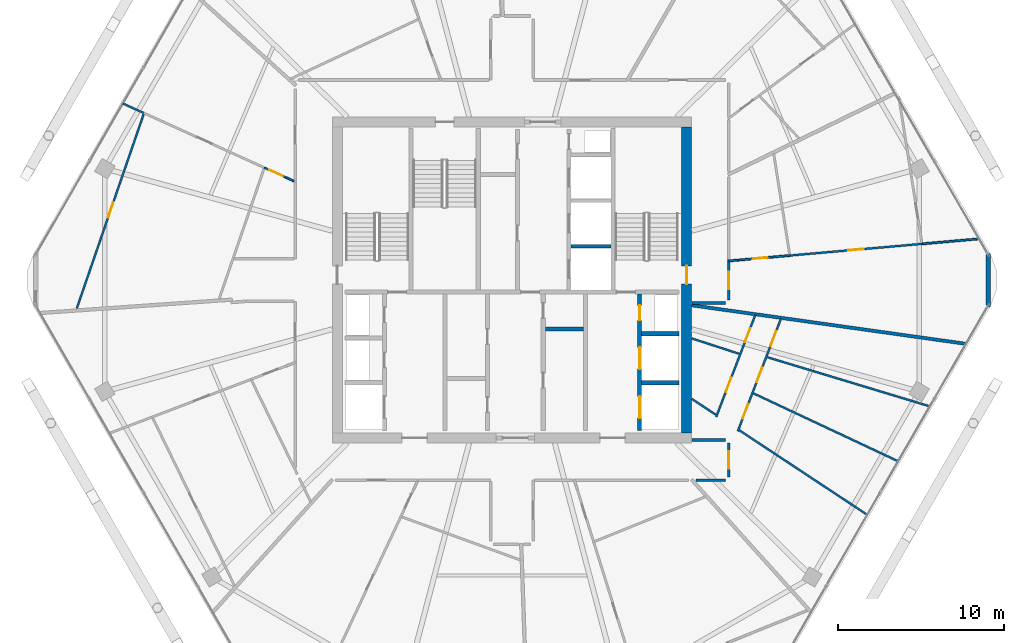
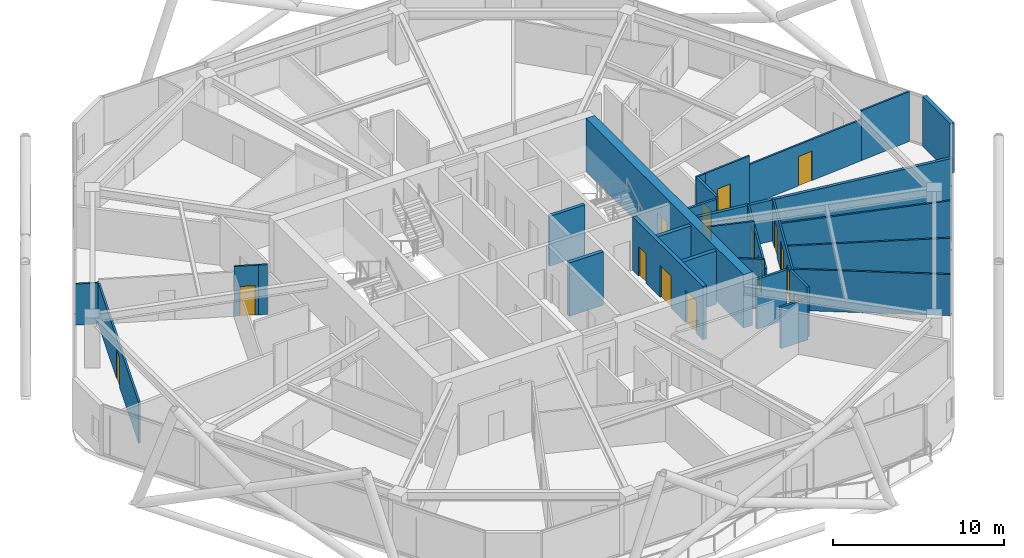
# One storey, part 22 of 26: 28 walls, 15 doors, 15 openings.
"""IFC4 building model written with IfcOpenShell, lengths in metres."""

from ifc_helpers import new_model, si_unit, direction, frame, frame_2d, origin, place, context, subcontext, project, spatial, rectangle, extrude, material, layer, layer_set, type_object, element, fill, save


model = new_model("IFC4")

# Units and contexts
model_context = context("Model", 3, precision=1e-05, world=origin(), true_north=direction((0.0, 1.0)))
body_context = subcontext(model_context, "Body", "Model", "MODEL_VIEW")
ifc_project = project(units=[si_unit("LENGTHUNIT", "METRE"), si_unit("AREAUNIT", "SQUARE_METRE"), si_unit("VOLUMEUNIT", "CUBIC_METRE"), si_unit("PLANEANGLEUNIT", "RADIAN"), si_unit("MASSUNIT", "GRAM", prefix="KILO")], contexts=[model_context])

# Site, building, storey
site_placement = place(None, origin())
site = spatial("IfcSite", under=ifc_project, at=site_placement, CompositionType="ELEMENT")
building_placement = place(site_placement, origin())
building = spatial("IfcBuilding", under=site, at=building_placement, Name="Zuhravey Tower", CompositionType="ELEMENT")
storey_placement = place(building_placement, frame((0.0, 0.0, 231.199951171875)))
storey = spatial("IfcBuildingStorey", under=building, at=storey_placement, Name="L58", CompositionType="ELEMENT", Elevation=231.199951171875)

# Wall, opening, door
ifc_material_1 = material(Name="Concrete C50/60", Category="concrete")
ifc_layer_1 = layer(ifc_material_1, 0.60009765625)
ifc_layer_set_1 = layer_set([ifc_layer_1], Name="Concrete C50/60")
wall_type_1 = type_object("IfcWallType", Name="Core Shear Wall 600", PredefinedType="SHEAR", material=ifc_layer_set_1)
wall_1_placement = place(storey_placement, frame((46.5, 22.800048828125, 0.0), z_axis=(0.0, 0.0, 1.0), x_axis=(0.0, 1.0, 0.0)))
wall_1 = element("IfcWall", 1, at=wall_1_placement, inside=storey, type_object=wall_type_1, Name="L58 East Core Shear Wall CW60", PredefinedType="SHEAR", context=body_context, shape_type="SweptSolid", body=[
    extrude(rectangle(XDim=18.39990234375, YDim=0.60009765625, at=frame_2d((9.199951171875, 0.0))), origin(), (0.0, 0.0, 1.0), 3.800048828125),
])
opening_1_placement = place(wall_1_placement, frame((8.949951171875, 0.0, 0.0)))
opening_1 = element("IfcOpeningElement", 2, at=opening_1_placement, cuts=wall_1, Name="Opening STD1", PredefinedType="OPENING", context=body_context, shape_type="SweptSolid", body=[
    extrude(rectangle(XDim=1.10009765625, YDim=2.14990234375, at=frame_2d((0.550048828125, 1.074951171875))), frame((0.0, 0.31201171875, 0.0), z_axis=(0.0, -1.0, 0.0), x_axis=(1.0, 0.0, 0.0)), (0.0, 0.0, 1.0), 0.6240234375),
])
ifc_material_2 = material(Name="Galvanised fire-rated steel leaf", Category="steel")
door_type_1 = type_object("IfcDoorType", Name="Protected Stair Fire Door 1100x2150", OperationType="NOTDEFINED", PredefinedType="USERDEFINED", material=ifc_material_2)
door_1_placement = place(opening_1_placement, origin())
door_1 = element("IfcDoor", 3, at=door_1_placement, inside=storey, type_object=door_type_1, Name="L58 Stair ST2 Door", ObjectType="EXITDOOR", OperationType="SINGLE_SWING_RIGHT", OverallHeight=2.14990234375, OverallWidth=1.10009765625, PredefinedType="USERDEFINED", context=body_context, shape_type="SweptSolid", body=[
    extrude(rectangle(XDim=1.10009765625, YDim=2.14990234375, at=frame_2d((0.550048828125, 1.074951171875))), frame((0.0, 0.02490234375, 0.0), z_axis=(0.0, -1.0, 0.0), x_axis=(1.0, 0.0, 0.0)), (0.0, 0.0, 1.0), 0.050048828125),
])
fill(opening_1, door_1)

ifc_material_3 = material(Name="Gypsum fire-rated stud partition")
ifc_layer_2 = layer(ifc_material_3, 0.159912109375)
ifc_layer_set_2 = layer_set([ifc_layer_2], Name="Gypsum fire-rated stud partition")
wall_type_2 = type_object("IfcWallType", Name="Corridor Fire Partition 160", PredefinedType="PARTITIONING", material=ifc_layer_set_2)
wall_2_placement = place(storey_placement, frame((49.030029296875, 20.150634765625, 0.0), z_axis=(0.0, 0.0, 1.0), x_axis=(0.0, 1.0, 0.0)))
wall_2 = element("IfcWall", 4, at=wall_2_placement, inside=storey, type_object=wall_type_2, Name="L58 IW16 Partition 043", PredefinedType="PARTITIONING", context=body_context, shape_type="SweptSolid", body=[
    extrude(rectangle(XDim=2.048583984375, YDim=0.159912109375, at=frame_2d((1.0244140625, 0.0))), origin(), (0.0, 0.0, 1.0), 3.550048828125),
])
opening_2_placement = place(wall_2_placement, frame((0.499267578125, 0.0, 0.0)))
opening_2 = element("IfcOpeningElement", 5, at=opening_2_placement, cuts=wall_2, Name="Opening APD1", PredefinedType="OPENING", context=body_context, shape_type="SweptSolid", body=[
    extrude(rectangle(XDim=1.050048828125, YDim=2.14990234375, at=frame_2d((0.52490234375, 1.074951171875))), frame((0.0, 0.092041015625, 0.0), z_axis=(0.0, -1.0, 0.0), x_axis=(1.0, 0.0, 0.0)), (0.0, 0.0, 1.0), 0.183837890625),
])
ifc_material_4 = material(Name="Solid-core oak fire-rated leaf")
door_type_2 = type_object("IfcDoorType", Name="Apartment Entrance Fire Door 1050x2150", OperationType="NOTDEFINED", PredefinedType="DOOR", material=ifc_material_4)
door_2_placement = place(opening_2_placement, frame((1.050048828125, 0.0, 0.0), z_axis=(0.0, 0.0, 1.0), x_axis=(-1.0, 0.0, 0.0)))
door_2 = element("IfcDoor", 6, at=door_2_placement, inside=storey, type_object=door_type_2, Name="L58 Door 043.1", OperationType="SINGLE_SWING_RIGHT", OverallHeight=2.14990234375, OverallWidth=1.050048828125, PredefinedType="DOOR", context=body_context, shape_type="SweptSolid", body=[
    extrude(rectangle(XDim=1.050048828125, YDim=2.14990234375, at=frame_2d((0.52490234375, 1.074951171875))), frame((0.0, 0.02490234375, 0.0), z_axis=(0.0, -1.0, 0.0), x_axis=(1.0, 0.0, 0.0)), (0.0, 0.0, 1.0), 0.050048828125),
])
fill(opening_2, door_2)

wall_3_placement = place(storey_placement, frame((49.030029296875, 30.800048828125, 0.0), z_axis=(0.0, 0.0, 1.0), x_axis=(0.0, 1.0, 0.0)))
wall_3 = element("IfcWall", 7, at=wall_3_placement, inside=storey, type_object=wall_type_2, Name="L58 IW16 Partition 047", PredefinedType="PARTITIONING", context=body_context, shape_type="SweptSolid", body=[
    extrude(rectangle(XDim=2.3291015625, YDim=0.159912109375, at=frame_2d((1.16455078125, 0.0))), origin(), (0.0, 0.0, 1.0), 3.550048828125),
])
opening_3_placement = place(wall_3_placement, frame((0.6396484375, 0.0, 0.0)))
opening_3 = element("IfcOpeningElement", 8, at=opening_3_placement, cuts=wall_3, Name="Opening APD1", PredefinedType="OPENING", context=body_context, shape_type="SweptSolid", body=[
    extrude(rectangle(XDim=1.050048828125, YDim=2.14990234375, at=frame_2d((0.52490234375, 1.074951171875))), frame((0.0, 0.092041015625, 0.0), z_axis=(0.0, -1.0, 0.0), x_axis=(1.0, 0.0, 0.0)), (0.0, 0.0, 1.0), 0.183837890625),
])
door_3_placement = place(opening_3_placement, frame((1.050048828125, 0.0, 0.0), z_axis=(0.0, 0.0, 1.0), x_axis=(-1.0, 0.0, 0.0)))
door_3 = element("IfcDoor", 9, at=door_3_placement, inside=storey, type_object=door_type_2, Name="L58 Door 047.1", OperationType="SINGLE_SWING_RIGHT", OverallHeight=2.14990234375, OverallWidth=1.050048828125, PredefinedType="DOOR", context=body_context, shape_type="SweptSolid", body=[
    extrude(rectangle(XDim=1.050048828125, YDim=2.14990234375, at=frame_2d((0.52490234375, 1.074951171875))), frame((0.0, 0.02490234375, 0.0), z_axis=(0.0, -1.0, 0.0), x_axis=(1.0, 0.0, 0.0)), (0.0, 0.0, 1.0), 0.050048828125),
])
fill(opening_3, door_3)

# Walls
wall_4_placement = place(storey_placement, frame((48.849365234375, 22.3798828125, 0.0), z_axis=(0.0, 0.0, 1.0), x_axis=(-1.0, 0.0, 0.0)))
element("IfcWall", 10, at=wall_4_placement, inside=storey, type_object=wall_type_2, Name="L58 IW16 Partition 108", PredefinedType="PARTITIONING", context=body_context, shape_type="SweptSolid", body=[
    extrude(rectangle(XDim=2.029296875, YDim=0.159912109375, at=frame_2d((1.0146484375, 0.0))), origin(), (0.0, 0.0, 1.0), 3.550048828125),
])
wall_5_placement = place(storey_placement, frame((47.050537109375, 19.969970703125, 0.0), z_axis=(0.0, 0.0, 1.0), x_axis=(1.0, 0.0, 0.0)))
element("IfcWall", 11, at=wall_5_placement, inside=storey, type_object=wall_type_2, Name="L58 IW16 Partition 109", PredefinedType="PARTITIONING", context=body_context, shape_type="SweptSolid", body=[
    extrude(rectangle(XDim=1.798828125, YDim=0.159912109375, at=frame_2d((0.8994140625, 0.0))), origin(), (0.0, 0.0, 1.0), 2.949951171875),
])
wall_6_placement = place(storey_placement, frame((46.820068359375, 30.6201171875, 0.0), z_axis=(0.0, 0.0, 1.0), x_axis=(1.0, 0.0, 0.0)))
element("IfcWall", 12, at=wall_6_placement, inside=storey, type_object=wall_type_2, Name="L58 IW16 Partition 110", PredefinedType="PARTITIONING", context=body_context, shape_type="SweptSolid", body=[
    extrude(rectangle(XDim=2.030029296875, YDim=0.159912109375, at=frame_2d((1.01513671875, 0.0))), origin(), (0.0, 0.0, 1.0), 3.550048828125),
])
ifc_material_5 = material(Name="Precast concrete C40/50", Category="concrete")
ifc_layer_3 = layer(ifc_material_5, 0.280029296875)
ifc_layer_set_3 = layer_set([ifc_layer_3], Name="Precast concrete C40/50")
wall_type_3 = type_object("IfcWallType", Name="Crown Architectural Wall 280", PredefinedType="SOLIDWALL", material=ifc_layer_set_3)
wall_7_placement = place(storey_placement, frame((64.64501953125, 33.607421875, 0.0), z_axis=(0.0, 0.0, 1.0), x_axis=(0.0, -1.0, 0.0)))
element("IfcWall", 13, at=wall_7_placement, inside=storey, type_object=wall_type_3, Name="L58 Rounded Corner Closure Wall EW28-12", PredefinedType="SOLIDWALL", context=body_context, shape_type="SweptSolid", body=[
    extrude(rectangle(XDim=3.21484375, YDim=0.280029296875, at=frame_2d((1.607421875, 0.0))), origin(), (0.0, 0.0, 1.0), 3.550048828125),
])
ifc_layer_4 = layer(ifc_material_1, 0.25)
ifc_layer_set_4 = layer_set([ifc_layer_4], Name="Concrete C50/60")
wall_type_4 = type_object("IfcWallType", Name="Firefighting Shaft & Stair Wall 250", PredefinedType="SOLIDWALL", material=ifc_layer_set_4)
wall_8_placement = place(storey_placement, frame((38.0, 29.050048828125, 0.0), z_axis=(0.0, 0.0, 1.0), x_axis=(1.0, 0.0, 0.0)))
element("IfcWall", 14, at=wall_8_placement, inside=storey, type_object=wall_type_4, Name="L58 FW25 Shaft Wall 015", PredefinedType="SOLIDWALL", context=body_context, shape_type="SweptSolid", body=[
    extrude(rectangle(XDim=2.300048828125, YDim=0.25, at=frame_2d((1.14990234375, 0.0))), origin(), (0.0, 0.0, 1.0), 3.800048828125),
])
for number, where, z_axis, x_axis, name in (
    (15, (43.800048828125, 25.824951171875, 0.0), (0.0, 0.0, 1.0), (1.0, 0.0, 0.0), "L58 FW25 Shaft Wall 018"),
    (16, (43.800048828125, 28.77490234375, 0.0), (0.0, 0.0, 1.0), (1.0, 0.0, 0.0), "L58 FW25 Shaft Wall 019"),
):
    element("IfcWall", number, at=place(storey_placement, frame(where, z_axis=z_axis, x_axis=x_axis)), inside=storey, type_object=wall_type_4, Name=name, PredefinedType="SOLIDWALL", context=body_context, shape_type="SweptSolid", body=[
        extrude(rectangle(XDim=2.25, YDim=0.25, at=frame_2d((1.125, 0.0))), origin(), (0.0, 0.0, 1.0), 3.800048828125),
    ])

# Wall, openings, doors
wall_9_placement = place(storey_placement, frame((43.675048828125, 22.949951171875, 0.0), z_axis=(0.0, 0.0, 1.0), x_axis=(0.0, 1.0, 0.0)))
wall_9 = element("IfcWall", 17, at=wall_9_placement, inside=storey, type_object=wall_type_4, Name="L58 FW25 Shaft Wall 020", PredefinedType="SOLIDWALL", context=body_context, shape_type="SweptSolid", body=[
    extrude(rectangle(XDim=8.199951171875, YDim=0.25, at=frame_2d((4.10009765625, 0.0))), origin(), (0.0, 0.0, 1.0), 3.800048828125),
])
opening_4_placement = place(wall_9_placement, frame((0.75, 0.0, 0.0)))
opening_4 = element("IfcOpeningElement", 18, at=opening_4_placement, cuts=wall_9, Name="Opening LD2", PredefinedType="OPENING", context=body_context, shape_type="SweptSolid", body=[
    extrude(rectangle(XDim=1.300048828125, YDim=2.300048828125, at=frame_2d((0.64990234375, 1.14990234375))), frame((0.0, 0.136962890625, 0.0), z_axis=(0.0, -1.0, 0.0), x_axis=(1.0, 0.0, 0.0)), (0.0, 0.0, 1.0), 0.27392578125),
])
opening_5_placement = place(wall_9_placement, frame((3.699951171875, 0.0, 0.0)))
opening_5 = element("IfcOpeningElement", 19, at=opening_5_placement, cuts=wall_9, Name="Opening LD2", PredefinedType="OPENING", context=body_context, shape_type="SweptSolid", body=[
    extrude(rectangle(XDim=1.300048828125, YDim=2.300048828125, at=frame_2d((0.64990234375, 1.14990234375))), frame((0.0, 0.136962890625, 0.0), z_axis=(0.0, -1.0, 0.0), x_axis=(1.0, 0.0, 0.0)), (0.0, 0.0, 1.0), 0.27392578125),
])
opening_6_placement = place(wall_9_placement, frame((6.6201171875, 0.0, 0.0)))
opening_6 = element("IfcOpeningElement", 20, at=opening_6_placement, cuts=wall_9, Name="Opening RSD1", PredefinedType="OPENING", context=body_context, shape_type="SweptSolid", body=[
    extrude(rectangle(XDim=0.89990234375, YDim=2.10009765625, at=frame_2d((0.449951171875, 1.050048828125))), frame((0.0, 0.136962890625, 0.0), z_axis=(0.0, -1.0, 0.0), x_axis=(1.0, 0.0, 0.0)), (0.0, 0.0, 1.0), 0.27392578125),
])
ifc_material_6 = material(Name="Brushed stainless steel", Category="steel")
door_type_3 = type_object("IfcDoorType", Name="Freight & Stretcher Lift Sliding Door 1300x2300", OperationType="DOUBLE_DOOR_SLIDING", PredefinedType="DOOR", material=ifc_material_6)
door_4_placement = place(opening_4_placement, origin())
door_4 = element("IfcDoor", 21, at=door_4_placement, inside=storey, type_object=door_type_3, Name="L58 Lift FF2 Landing Door", OperationType="DOUBLE_DOOR_SLIDING", OverallHeight=2.300048828125, OverallWidth=1.300048828125, PredefinedType="DOOR", context=body_context, shape_type="SweptSolid", body=[
    extrude(rectangle(XDim=1.300048828125, YDim=2.300048828125, at=frame_2d((0.64990234375, 1.14990234375))), frame((0.0, 0.02490234375, 0.0), z_axis=(0.0, -1.0, 0.0), x_axis=(1.0, 0.0, 0.0)), (0.0, 0.0, 1.0), 0.050048828125),
])
fill(opening_4, door_4)
door_5_placement = place(opening_5_placement, origin())
door_5 = element("IfcDoor", 22, at=door_5_placement, inside=storey, type_object=door_type_3, Name="L58 Lift SV1 Landing Door", OperationType="DOUBLE_DOOR_SLIDING", OverallHeight=2.300048828125, OverallWidth=1.300048828125, PredefinedType="DOOR", context=body_context, shape_type="SweptSolid", body=[
    extrude(rectangle(XDim=1.300048828125, YDim=2.300048828125, at=frame_2d((0.64990234375, 1.14990234375))), frame((0.0, 0.02490234375, 0.0), z_axis=(0.0, -1.0, 0.0), x_axis=(1.0, 0.0, 0.0)), (0.0, 0.0, 1.0), 0.050048828125),
])
fill(opening_5, door_5)
ifc_material_7 = material(Name="Galvanised fire-rated steel access leaf", Category="steel")
door_type_4 = type_object("IfcDoorType", Name="Riser & Shaft Access Fire Door 900x2100", OperationType="NOTDEFINED", PredefinedType="DOOR", material=ifc_material_7)
door_6_placement = place(opening_6_placement, origin())
door_6 = element("IfcDoor", 23, at=door_6_placement, inside=storey, type_object=door_type_4, Name="L58 Plumbing Riser Door", OperationType="SINGLE_SWING_RIGHT", OverallHeight=2.10009765625, OverallWidth=0.89990234375, PredefinedType="DOOR", context=body_context, shape_type="SweptSolid", body=[
    extrude(rectangle(XDim=0.89990234375, YDim=2.10009765625, at=frame_2d((0.449951171875, 1.050048828125))), frame((0.0, 0.02490234375, 0.0), z_axis=(0.0, -1.0, 0.0), x_axis=(1.0, 0.0, 0.0)), (0.0, 0.0, 1.0), 0.050048828125),
])
fill(opening_6, door_6)

# Walls
ifc_material_8 = material(Name="Gypsum double-stud party assembly")
ifc_layer_5 = layer(ifc_material_8, 0.199951171875)
ifc_layer_set_5 = layer_set([ifc_layer_5], Name="Gypsum double-stud party assembly")
wall_type_5 = type_object("IfcWallType", Name="Inter-Tenancy Party Wall 200", PredefinedType="PARTITIONING", material=ifc_layer_set_5)
wall_10_placement = place(storey_placement, frame((46.80810546875, 30.481201171875, 0.0), z_axis=(0.0, 0.0, 1.0), x_axis=(0.990266776737, -0.139182293739, 0.0)))
element("IfcWall", 24, at=wall_10_placement, inside=storey, type_object=wall_type_5, Name="L58 IW20 Partition 085", PredefinedType="PARTITIONING", context=body_context, shape_type="SweptSolid", body=[
    extrude(rectangle(XDim=16.656982421875, YDim=0.199951171875, at=frame_2d((8.32861328125, 0.0))), origin(), (0.0, 0.0, 1.0), 2.929931640625),
])
ifc_material_9 = material(Name="Gypsum acoustic stud assembly")
ifc_layer_6 = layer(ifc_material_9, 0.219970703125)
ifc_layer_set_6 = layer_set([ifc_layer_6], Name="Gypsum acoustic stud assembly")
wall_type_6 = type_object("IfcWallType", Name="School Acoustic Compartment Wall 220", PredefinedType="PARTITIONING", material=ifc_layer_set_6)
wall_11_placement = place(storey_placement, frame((39.55810546875, 34.02490234375, 0.0), z_axis=(0.0, 0.0, 1.0), x_axis=(1.0, 0.0, 0.0)))
element("IfcWall", 25, at=wall_11_placement, inside=storey, type_object=wall_type_6, Name="L58 IW22 Partition 055", PredefinedType="PARTITIONING", context=body_context, shape_type="SweptSolid", body=[
    extrude(rectangle(XDim=2.3837890625, YDim=0.219970703125, at=frame_2d((1.19189453125, 0.0))), origin(), (0.0, 0.0, 1.0), 3.550048828125),
])

# Wall, opening, door
ifc_material_10 = material(Name="Gypsum metal-stud partition")
ifc_layer_7 = layer(ifc_material_10, 0.1201171875)
ifc_layer_set_7 = layer_set([ifc_layer_7], Name="Gypsum metal-stud partition")
wall_type_7 = type_object("IfcWallType", Name="Unit Internal Partition 120", PredefinedType="PARTITIONING", material=ifc_layer_set_7)
wall_12_placement = place(storey_placement, frame((22.39990234375, 38.169189453125, 0.0), z_axis=(0.0, 0.0, 1.0), x_axis=(-0.910638522973, 0.413203921178, 0.0)))
wall_12 = element("IfcWall", 26, at=wall_12_placement, inside=storey, type_object=wall_type_7, Name="L58 IW12 Partition 025", PredefinedType="PARTITIONING", context=body_context, shape_type="SweptSolid", body=[
    extrude(rectangle(XDim=1.443359375, YDim=0.1201171875, at=frame_2d((0.7216796875, 0.0))), origin(), (0.0, 0.0, 1.0), 3.550048828125),
])
opening_7_placement = place(wall_12_placement, frame((0.199951171875, 0.0, 0.0)))
opening_7 = element("IfcOpeningElement", 27, at=opening_7_placement, cuts=wall_12, Name="Opening WCD1", PredefinedType="OPENING", context=body_context, shape_type="SweptSolid", body=[
    extrude(rectangle(XDim=0.89990234375, YDim=2.10009765625, at=frame_2d((0.449951171875, 1.050048828125))), frame((0.0, 0.072021484375, 0.0), z_axis=(0.0, -1.0, 0.0), x_axis=(1.0, 0.0, 0.0)), (0.0, 0.0, 1.0), 0.14404296875),
])
ifc_material_11 = material(Name="Moisture-resistant timber leaf", Category="wood")
door_type_5 = type_object("IfcDoorType", Name="Bathroom & WC Internal Door 900x2100", OperationType="NOTDEFINED", PredefinedType="DOOR", material=ifc_material_11)
door_7_placement = place(opening_7_placement, origin())
door_7 = element("IfcDoor", 28, at=door_7_placement, inside=storey, type_object=door_type_5, Name="Apartment L58-02 Bathroom Door", OperationType="SINGLE_SWING_LEFT", OverallHeight=2.10009765625, OverallWidth=0.89990234375, PredefinedType="DOOR", context=body_context, shape_type="SweptSolid", body=[
    extrude(rectangle(XDim=0.89990234375, YDim=2.10009765625, at=frame_2d((0.449951171875, 1.050048828125))), frame((0.0, 0.02490234375, 0.0), z_axis=(0.0, -1.0, 0.0), x_axis=(1.0, 0.0, 0.0)), (0.0, 0.0, 1.0), 0.050048828125),
])
fill(opening_7, door_7)

wall_13_placement = place(storey_placement, frame((13.850341796875, 41.972900390625, 0.0), z_axis=(0.0, 0.0, 1.0), x_axis=(-0.325567715509, -0.945518726741, 0.0)))
wall_13 = element("IfcWall", 29, at=wall_13_placement, inside=storey, type_object=wall_type_7, Name="L58 IW12 Partition 027", PredefinedType="PARTITIONING", context=body_context, shape_type="SweptSolid", body=[
    extrude(rectangle(XDim=12.34619140625, YDim=0.1201171875, at=frame_2d((6.173095703125, 0.0))), origin(), (0.0, 0.0, 1.0), 2.929931640625),
])
opening_8_placement = place(wall_13_placement, frame((5.61376953125, 0.0, 0.0)))
opening_8 = element("IfcOpeningElement", 30, at=opening_8_placement, cuts=wall_13, Name="Opening IND1", PredefinedType="OPENING", context=body_context, shape_type="SweptSolid", body=[
    extrude(rectangle(XDim=0.949951171875, YDim=2.10009765625, at=frame_2d((0.47509765625, 1.050048828125))), frame((0.0, 0.072021484375, 0.0), z_axis=(0.0, -1.0, 0.0), x_axis=(1.0, 0.0, 0.0)), (0.0, 0.0, 1.0), 0.14404296875),
])
ifc_material_12 = material(Name="Painted engineered timber leaf", Category="wood")
door_type_6 = type_object("IfcDoorType", Name="Internal Room & Bedroom Door 950x2100", OperationType="NOTDEFINED", PredefinedType="DOOR", material=ifc_material_12)
door_8_placement = place(opening_8_placement, frame((0.949951171875, 0.0, 0.0), z_axis=(0.0, 0.0, 1.0), x_axis=(-1.0, 0.0, 0.0)))
door_8 = element("IfcDoor", 31, at=door_8_placement, inside=storey, type_object=door_type_6, Name="Apartment L58-02 Bedroom 1 Door", OperationType="SINGLE_SWING_LEFT", OverallHeight=2.10009765625, OverallWidth=0.949951171875, PredefinedType="DOOR", context=body_context, shape_type="SweptSolid", body=[
    extrude(rectangle(XDim=0.949951171875, YDim=2.10009765625, at=frame_2d((0.47509765625, 1.050048828125))), frame((0.0, 0.02490234375, 0.0), z_axis=(0.0, -1.0, 0.0), x_axis=(1.0, 0.0, 0.0)), (0.0, 0.0, 1.0), 0.050048828125),
])
fill(opening_8, door_8)

# Wall, openings, doors
wall_14_placement = place(storey_placement, frame((48.27783203125, 23.76611328125, 0.0), z_axis=(0.0, 0.0, 1.0), x_axis=(0.358042156754, 0.933705421419, 0.0)))
wall_14 = element("IfcWall", 32, at=wall_14_placement, inside=storey, type_object=wall_type_7, Name="L58 IW12 Partition 041", PredefinedType="PARTITIONING", context=body_context, shape_type="SweptSolid", body=[
    extrude(rectangle(XDim=6.584228515625, YDim=0.1201171875, at=frame_2d((3.2919921875, 0.0))), origin(), (0.0, 0.0, 1.0), 2.949951171875),
])
opening_9_placement = place(wall_14_placement, frame((1.599365234375, 0.0, 0.0)))
opening_9 = element("IfcOpeningElement", 33, at=opening_9_placement, cuts=wall_14, Name="Opening IND1", PredefinedType="OPENING", context=body_context, shape_type="SweptSolid", body=[
    extrude(rectangle(XDim=0.949951171875, YDim=2.10009765625, at=frame_2d((0.47509765625, 1.050048828125))), frame((0.0, 0.072021484375, 0.0), z_axis=(0.0, -1.0, 0.0), x_axis=(1.0, 0.0, 0.0)), (0.0, 0.0, 1.0), 0.14404296875),
])
opening_10_placement = place(wall_14_placement, frame((4.81396484375, 0.0, 0.0)))
opening_10 = element("IfcOpeningElement", 34, at=opening_10_placement, cuts=wall_14, Name="Opening WCD1", PredefinedType="OPENING", context=body_context, shape_type="SweptSolid", body=[
    extrude(rectangle(XDim=0.89990234375, YDim=2.10009765625, at=frame_2d((0.449951171875, 1.050048828125))), frame((0.0, 0.072021484375, 0.0), z_axis=(0.0, -1.0, 0.0), x_axis=(1.0, 0.0, 0.0)), (0.0, 0.0, 1.0), 0.14404296875),
])
door_9_placement = place(opening_10_placement, origin())
door_9 = element("IfcDoor", 35, at=door_9_placement, inside=storey, type_object=door_type_5, Name="Apartment L58-06 Bathroom Door", OperationType="SINGLE_SWING_RIGHT", OverallHeight=2.10009765625, OverallWidth=0.89990234375, PredefinedType="DOOR", context=body_context, shape_type="SweptSolid", body=[
    extrude(rectangle(XDim=0.89990234375, YDim=2.10009765625, at=frame_2d((0.449951171875, 1.050048828125))), frame((0.0, 0.02490234375, 0.0), z_axis=(0.0, -1.0, 0.0), x_axis=(1.0, 0.0, 0.0)), (0.0, 0.0, 1.0), 0.050048828125),
])
fill(opening_10, door_9)
door_10_placement = place(opening_9_placement, origin())
door_10 = element("IfcDoor", 36, at=door_10_placement, inside=storey, type_object=door_type_6, Name="Apartment L58-06 Kitchen Door", OperationType="SINGLE_SWING_LEFT", OverallHeight=2.10009765625, OverallWidth=0.949951171875, PredefinedType="DOOR", context=body_context, shape_type="SweptSolid", body=[
    extrude(rectangle(XDim=0.949951171875, YDim=2.10009765625, at=frame_2d((0.47509765625, 1.050048828125))), frame((0.0, 0.02490234375, 0.0), z_axis=(0.0, -1.0, 0.0), x_axis=(1.0, 0.0, 0.0)), (0.0, 0.0, 1.0), 0.050048828125),
])
fill(opening_9, door_10)

wall_15_placement = place(storey_placement, frame((49.576416015625, 22.90771484375, 0.0), z_axis=(0.0, 0.0, 1.0), x_axis=(0.358041112014, 0.933705822038, 0.0)))
wall_15 = element("IfcWall", 37, at=wall_15_placement, inside=storey, type_object=wall_type_7, Name="L58 IW12 Partition 042", PredefinedType="PARTITIONING", context=body_context, shape_type="SweptSolid", body=[
    extrude(rectangle(XDim=7.25732421875, YDim=0.1201171875, at=frame_2d((3.628662109375, 0.0))), origin(), (0.0, 0.0, 1.0), 2.949951171875),
])
opening_11_placement = place(wall_15_placement, frame((0.809814453125, 0.0, 0.0)))
opening_11 = element("IfcOpeningElement", 38, at=opening_11_placement, cuts=wall_15, Name="Opening IND1", PredefinedType="OPENING", context=body_context, shape_type="SweptSolid", body=[
    extrude(rectangle(XDim=0.949951171875, YDim=2.10009765625, at=frame_2d((0.47509765625, 1.050048828125))), frame((0.0, 0.072021484375, 0.0), z_axis=(0.0, -1.0, 0.0), x_axis=(1.0, 0.0, 0.0)), (0.0, 0.0, 1.0), 0.14404296875),
])
opening_12_placement = place(wall_15_placement, frame((3.15380859375, 0.0, 0.0)))
opening_12 = element("IfcOpeningElement", 39, at=opening_12_placement, cuts=wall_15, Name="Opening IND1", PredefinedType="OPENING", context=body_context, shape_type="SweptSolid", body=[
    extrude(rectangle(XDim=0.949951171875, YDim=2.10009765625, at=frame_2d((0.47509765625, 1.050048828125))), frame((0.0, 0.072021484375, 0.0), z_axis=(0.0, -1.0, 0.0), x_axis=(1.0, 0.0, 0.0)), (0.0, 0.0, 1.0), 0.14404296875),
])
opening_13_placement = place(wall_15_placement, frame((5.497314453125, 0.0, 0.0)))
opening_13 = element("IfcOpeningElement", 40, at=opening_13_placement, cuts=wall_15, Name="Opening IND1", PredefinedType="OPENING", context=body_context, shape_type="SweptSolid", body=[
    extrude(rectangle(XDim=0.949951171875, YDim=2.10009765625, at=frame_2d((0.47509765625, 1.050048828125))), frame((0.0, 0.072021484375, 0.0), z_axis=(0.0, -1.0, 0.0), x_axis=(1.0, 0.0, 0.0)), (0.0, 0.0, 1.0), 0.14404296875),
])
door_11_placement = place(opening_11_placement, frame((0.949951171875, 0.0, 0.0), z_axis=(0.0, 0.0, 1.0), x_axis=(-1.0, 0.0, 0.0)))
door_11 = element("IfcDoor", 41, at=door_11_placement, inside=storey, type_object=door_type_6, Name="Apartment L58-06 Bedroom 1 Door", OperationType="SINGLE_SWING_LEFT", OverallHeight=2.10009765625, OverallWidth=0.949951171875, PredefinedType="DOOR", context=body_context, shape_type="SweptSolid", body=[
    extrude(rectangle(XDim=0.949951171875, YDim=2.10009765625, at=frame_2d((0.47509765625, 1.050048828125))), frame((0.0, 0.02490234375, 0.0), z_axis=(0.0, -1.0, 0.0), x_axis=(1.0, 0.0, 0.0)), (0.0, 0.0, 1.0), 0.050048828125),
])
fill(opening_11, door_11)
door_12_placement = place(opening_12_placement, frame((0.949951171875, 0.0, 0.0), z_axis=(0.0, 0.0, 1.0), x_axis=(-1.0, 0.0, 0.0)))
door_12 = element("IfcDoor", 42, at=door_12_placement, inside=storey, type_object=door_type_6, Name="Apartment L58-06 Bedroom 2 Door", OperationType="SINGLE_SWING_RIGHT", OverallHeight=2.10009765625, OverallWidth=0.949951171875, PredefinedType="DOOR", context=body_context, shape_type="SweptSolid", body=[
    extrude(rectangle(XDim=0.949951171875, YDim=2.10009765625, at=frame_2d((0.47509765625, 1.050048828125))), frame((0.0, 0.02490234375, 0.0), z_axis=(0.0, -1.0, 0.0), x_axis=(1.0, 0.0, 0.0)), (0.0, 0.0, 1.0), 0.050048828125),
])
fill(opening_12, door_12)
door_13_placement = place(opening_13_placement, frame((0.949951171875, 0.0, 0.0), z_axis=(0.0, 0.0, 1.0), x_axis=(-1.0, 0.0, 0.0)))
door_13 = element("IfcDoor", 43, at=door_13_placement, inside=storey, type_object=door_type_6, Name="Apartment L58-06 Bedroom 3 Door", OperationType="SINGLE_SWING_LEFT", OverallHeight=2.10009765625, OverallWidth=0.949951171875, PredefinedType="DOOR", context=body_context, shape_type="SweptSolid", body=[
    extrude(rectangle(XDim=0.949951171875, YDim=2.10009765625, at=frame_2d((0.47509765625, 1.050048828125))), frame((0.0, 0.02490234375, 0.0), z_axis=(0.0, -1.0, 0.0), x_axis=(1.0, 0.0, 0.0)), (0.0, 0.0, 1.0), 0.050048828125),
])
fill(opening_13, door_13)

# Wall, opening, door
wall_16_placement = place(storey_placement, frame((49.60009765625, 33.199462890625, 0.0), z_axis=(0.0, 0.0, 1.0), x_axis=(0.996134648453, 0.087839411149, 0.0)))
wall_16 = element("IfcWall", 44, at=wall_16_placement, inside=storey, type_object=wall_type_7, Name="L58 IW12 Partition 044", PredefinedType="PARTITIONING", context=body_context, shape_type="SweptSolid", body=[
    extrude(rectangle(XDim=3.1435546875, YDim=0.1201171875, at=frame_2d((1.57177734375, 0.0))), origin(), (0.0, 0.0, 1.0), 3.550048828125),
])
opening_14_placement = place(wall_16_placement, frame((0.870361328125, 0.0, 0.0)))
opening_14 = element("IfcOpeningElement", 45, at=opening_14_placement, cuts=wall_16, Name="Opening WCD1", PredefinedType="OPENING", context=body_context, shape_type="SweptSolid", body=[
    extrude(rectangle(XDim=0.89990234375, YDim=2.10009765625, at=frame_2d((0.449951171875, 1.050048828125))), frame((0.0, 0.072021484375, 0.0), z_axis=(0.0, -1.0, 0.0), x_axis=(1.0, 0.0, 0.0)), (0.0, 0.0, 1.0), 0.14404296875),
])
door_14_placement = place(opening_14_placement, origin())
door_14 = element("IfcDoor", 46, at=door_14_placement, inside=storey, type_object=door_type_5, Name="Apartment L58-07 Bathroom Door", OperationType="SINGLE_SWING_LEFT", OverallHeight=2.10009765625, OverallWidth=0.89990234375, PredefinedType="DOOR", context=body_context, shape_type="SweptSolid", body=[
    extrude(rectangle(XDim=0.89990234375, YDim=2.10009765625, at=frame_2d((0.449951171875, 1.050048828125))), frame((0.0, 0.02490234375, 0.0), z_axis=(0.0, -1.0, 0.0), x_axis=(1.0, 0.0, 0.0)), (0.0, 0.0, 1.0), 0.050048828125),
])
fill(opening_14, door_14)

wall_17_placement = place(storey_placement, frame((52.7314453125, 33.4755859375, 0.0), z_axis=(0.0, 0.0, 1.0), x_axis=(0.996132054935, 0.087868817741, 0.0)))
wall_17 = element("IfcWall", 47, at=wall_17_placement, inside=storey, type_object=wall_type_7, Name="L58 IW12 Partition 045", PredefinedType="PARTITIONING", context=body_context, shape_type="SweptSolid", body=[
    extrude(rectangle(XDim=7.982421875, YDim=0.1201171875, at=frame_2d((3.9912109375, 0.0))), origin(), (0.0, 0.0, 1.0), 2.929931640625),
])
opening_15_placement = place(wall_17_placement, frame((3.4912109375, 0.0, 0.0)))
opening_15 = element("IfcOpeningElement", 48, at=opening_15_placement, cuts=wall_17, Name="Opening IND1", PredefinedType="OPENING", context=body_context, shape_type="SweptSolid", body=[
    extrude(rectangle(XDim=0.949951171875, YDim=2.10009765625, at=frame_2d((0.47509765625, 1.050048828125))), frame((0.0, 0.072021484375, 0.0), z_axis=(0.0, -1.0, 0.0), x_axis=(1.0, 0.0, 0.0)), (0.0, 0.0, 1.0), 0.14404296875),
])
door_15_placement = place(opening_15_placement, origin())
door_15 = element("IfcDoor", 49, at=door_15_placement, inside=storey, type_object=door_type_6, Name="Apartment L58-07 Home Office Door", OperationType="SINGLE_SWING_RIGHT", OverallHeight=2.10009765625, OverallWidth=0.949951171875, PredefinedType="DOOR", context=body_context, shape_type="SweptSolid", body=[
    extrude(rectangle(XDim=0.949951171875, YDim=2.10009765625, at=frame_2d((0.47509765625, 1.050048828125))), frame((0.0, 0.02490234375, 0.0), z_axis=(0.0, -1.0, 0.0), x_axis=(1.0, 0.0, 0.0)), (0.0, 0.0, 1.0), 0.050048828125),
])
fill(opening_15, door_15)

# Walls
wall_18_placement = place(storey_placement, frame((22.882080078125, 37.95068359375, 0.0), z_axis=(0.0, 0.0, 1.0), x_axis=(-0.910839700521, 0.41276026935, 0.0)))
element("IfcWall", 50, at=wall_18_placement, inside=storey, type_object=wall_type_7, Name="L58 IW12 Partition 063", PredefinedType="PARTITIONING", context=body_context, shape_type="SweptSolid", body=[
    extrude(rectangle(XDim=0.529296875, YDim=0.1201171875, at=frame_2d((0.2646484375, 0.0))), origin(), (0.0, 0.0, 1.0), 3.550048828125),
])
wall_19_placement = place(storey_placement, frame((13.849853515625, 42.0478515625, 0.0), z_axis=(0.0, 0.0, 1.0), x_axis=(-0.910665587289, 0.413144270355, 0.0)))
element("IfcWall", 51, at=wall_19_placement, inside=storey, type_object=wall_type_7, Name="L58 IW12 Partition 064", PredefinedType="PARTITIONING", context=body_context, shape_type="SweptSolid", body=[
    extrude(rectangle(XDim=1.36865234375, YDim=0.1201171875, at=frame_2d((0.684326171875, 0.0))), origin(), (0.0, 0.0, 1.0), 2.929931640625),
])
wall_20_placement = place(storey_placement, frame((46.80810546875, 28.491455078125, 0.0), z_axis=(0.0, 0.0, 1.0), x_axis=(0.951120145706, -0.308821094538, 0.0)))
element("IfcWall", 52, at=wall_20_placement, inside=storey, type_object=wall_type_7, Name="L58 IW12 Partition 080", PredefinedType="PARTITIONING", context=body_context, shape_type="SweptSolid", body=[
    extrude(rectangle(XDim=3.000244140625, YDim=0.1201171875, at=frame_2d((1.5, 0.0))), origin(), (0.0, 0.0, 1.0), 3.550048828125),
])
wall_21_placement = place(storey_placement, frame((50.5224609375, 25.184814453125, 0.0), z_axis=(0.0, 0.0, 1.0), x_axis=(0.905267210554, -0.424842650278, 0.0)))
element("IfcWall", 53, at=wall_21_placement, inside=storey, type_object=wall_type_7, Name="L58 IW12 Partition 081", PredefinedType="PARTITIONING", context=body_context, shape_type="SweptSolid", body=[
    extrude(rectangle(XDim=9.623779296875, YDim=0.1201171875, at=frame_2d((4.81201171875, 0.0))), origin(), (0.0, 0.0, 1.0), 2.929931640625),
])
wall_22_placement = place(storey_placement, frame((51.35595703125, 27.35791015625, 0.0), z_axis=(0.0, 0.0, 1.0), x_axis=(0.957218811374, -0.289365075903, 0.0)))
element("IfcWall", 54, at=wall_22_placement, inside=storey, type_object=wall_type_7, Name="L58 IW12 Partition 082", PredefinedType="PARTITIONING", context=body_context, shape_type="SweptSolid", body=[
    extrude(rectangle(XDim=10.22314453125, YDim=0.1201171875, at=frame_2d((5.111572265625, 0.0))), origin(), (0.0, 0.0, 1.0), 2.929931640625),
])
wall_23_placement = place(storey_placement, frame((46.80810546875, 24.857177734375, 0.0), z_axis=(0.0, 0.0, 1.0), x_axis=(0.834229042932, -0.551418084514, 0.0)))
element("IfcWall", 55, at=wall_23_placement, inside=storey, type_object=wall_type_7, Name="L58 IW12 Partition 083", PredefinedType="PARTITIONING", context=body_context, shape_type="SweptSolid", body=[
    extrude(rectangle(XDim=1.736083984375, YDim=0.1201171875, at=frame_2d((0.8681640625, 0.0))), origin(), (0.0, 0.0, 1.0), 3.550048828125),
])
wall_24_placement = place(storey_placement, frame((49.67138671875, 22.96484375, 0.0), z_axis=(0.0, 0.0, 1.0), x_axis=(0.834276896683, -0.551345680731, 0.0)))
element("IfcWall", 56, at=wall_24_placement, inside=storey, type_object=wall_type_7, Name="L58 IW12 Partition 084", PredefinedType="PARTITIONING", context=body_context, shape_type="SweptSolid", body=[
    extrude(rectangle(XDim=9.23291015625, YDim=0.1201171875, at=frame_2d((4.616455078125, 0.0))), origin(), (0.0, 0.0, 1.0), 2.929931640625),
])
wall_25_placement = place(storey_placement, frame((48.985107421875, 33.145263671875, 0.0), z_axis=(0.0, 0.0, 1.0), x_axis=(0.99613900955, 0.0877899405, 0.0)))
element("IfcWall", 57, at=wall_25_placement, inside=storey, type_object=wall_type_7, Name="L58 IW12 Partition 086", PredefinedType="PARTITIONING", context=body_context, shape_type="SweptSolid", body=[
    extrude(rectangle(XDim=0.617431640625, YDim=0.1201171875, at=frame_2d((0.30859375, 0.0))), origin(), (0.0, 0.0, 1.0), 3.550048828125),
])
wall_26_placement = place(storey_placement, frame((60.68310546875, 34.177001953125, 0.0), z_axis=(0.0, 0.0, 1.0), x_axis=(0.996140317526, 0.087775097826, 0.0)))
element("IfcWall", 58, at=wall_26_placement, inside=storey, type_object=wall_type_7, Name="L58 IW12 Partition 087", PredefinedType="PARTITIONING", context=body_context, shape_type="SweptSolid", body=[
    extrude(rectangle(XDim=3.421142578125, YDim=0.1201171875, at=frame_2d((1.71044921875, 0.0))), origin(), (0.0, 0.0, 1.0), 3.550048828125),
])

save(model, "model.ifc")
